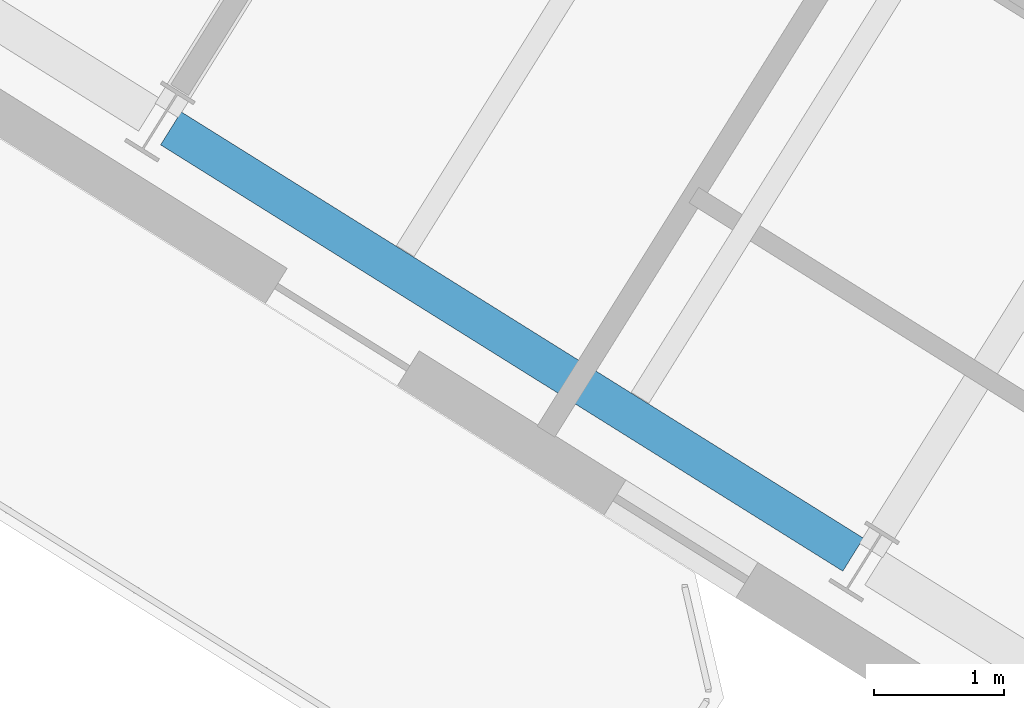
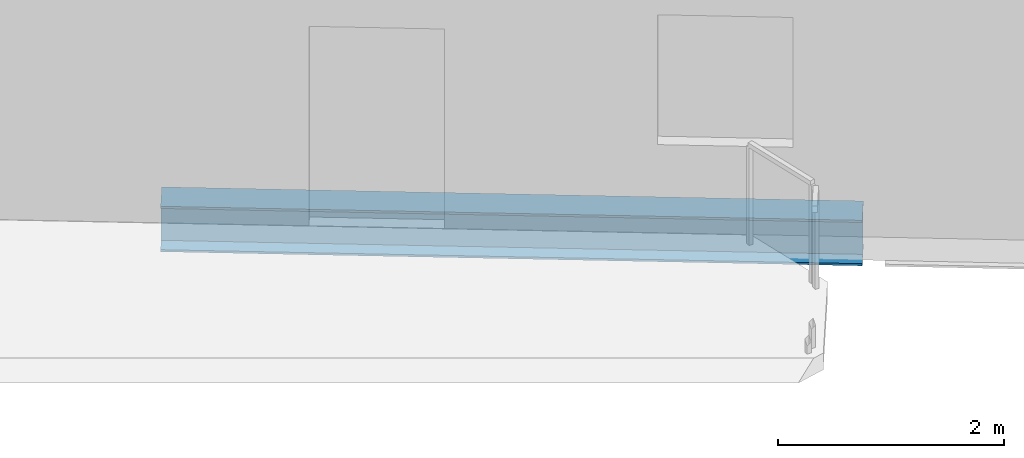
# One storey, part 5 of 25: 1 beam.
"""IFC4 building model written with IfcOpenShell, lengths in metres."""

from ifc_helpers import new_model, si_unit, direction, frame, origin, origin_2d, place, context, subcontext, project, spatial, i_section, extrude, source, transform, mapped, material, material_profile, profile_set, type_object, element, save


model = new_model("IFC4")

# Units and contexts
model_context = context("Model", 3, precision=1e-05, world=origin(), true_north=direction((0.0, 1.0)))
body_context = subcontext(model_context, "Body", "Model", "MODEL_VIEW")
ifc_project = project(units=[si_unit("LENGTHUNIT", "METRE"), si_unit("AREAUNIT", "SQUARE_METRE"), si_unit("VOLUMEUNIT", "CUBIC_METRE"), si_unit("PLANEANGLEUNIT", "RADIAN"), si_unit("MASSUNIT", "GRAM", prefix="KILO")], contexts=[model_context])

# Site, building, storey
site_placement = place(None, origin())
site = spatial("IfcSite", under=ifc_project, at=site_placement, CompositionType="ELEMENT")
building_placement = place(site_placement, origin())
building = spatial("IfcBuilding", under=site, at=building_placement, Name="Tlacorven Tower", CompositionType="ELEMENT")
storey_placement = place(building_placement, frame((0.0, 0.0, 162.300048828125)))
storey = spatial("IfcBuildingStorey", under=building, at=storey_placement, Name="L41", CompositionType="ELEMENT", Elevation=162.300048828125)

# Beam
ifc_material = material(Name="Steel S355J2", Category="steel")
ifc_material_profile = material_profile(ifc_material, i_section(OverallWidth=0.300048828125, OverallDepth=0.489990234375, WebThickness=0.011962890625, FlangeThickness=0.02294921875, at=origin_2d()), Name="HEA 500")
ifc_profile_set = profile_set([ifc_material_profile], Name="Steel S355J2")
beam_type = type_object("IfcBeamType", Name="BM-SPN-500", PredefinedType="SPANDREL", material=ifc_profile_set)
shared_shape = source(origin(), body_context, "Body", "SweptSolid", [
    extrude(i_section(OverallWidth=0.300048828125, OverallDepth=0.489990234375, WebThickness=0.011962890625, FlangeThickness=0.02294921875, at=origin_2d()), origin(), (0.0, 0.0, 1.0), 6.199951171875),
])
beam_placement = place(storey_placement, frame((18.82080078125, 13.6650390625, -0.4951171875), z_axis=(-0.848051394107, 0.529913986372, 0.0), x_axis=(-0.529913986372, -0.848051394107, 0.0)))
element("IfcBeam", 1, at=beam_placement, inside=storey, type_object=beam_type, Name="L41 beam BM-L41-WL4-3", PredefinedType="SPANDREL", context=body_context, shape_type="MappedRepresentation", body=[
    mapped(shared_shape, transform((0.0, 0.0, 0.0), scale=1.0)),
])

save(model, "model.ifc")
